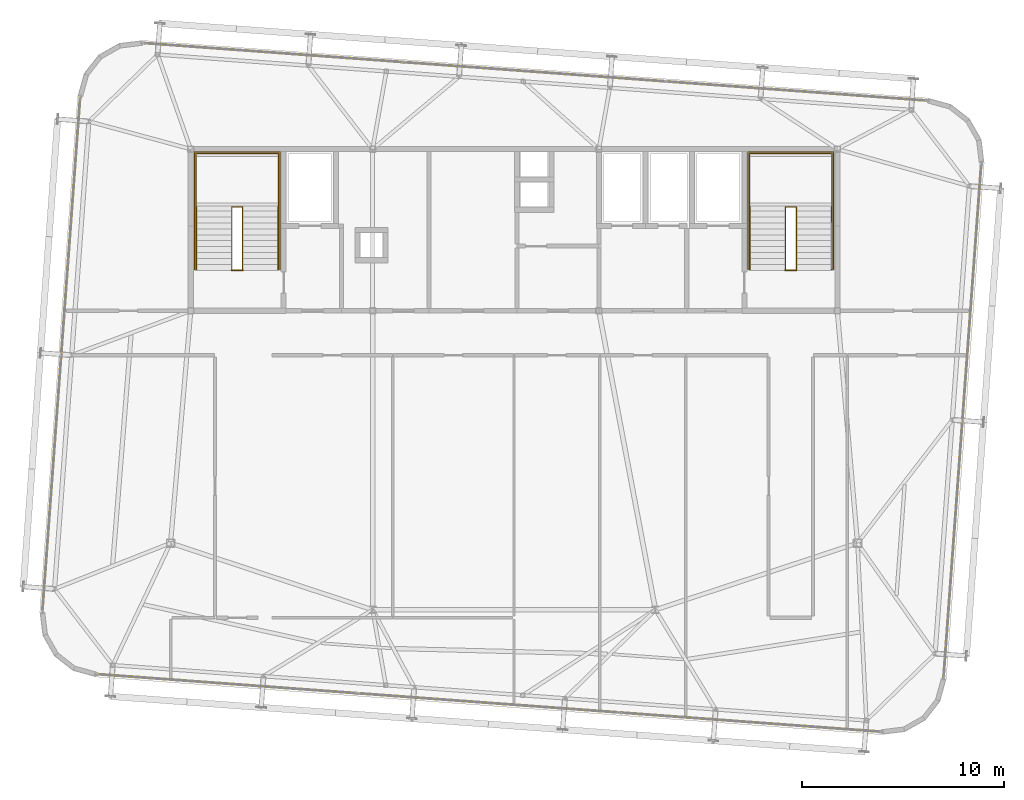
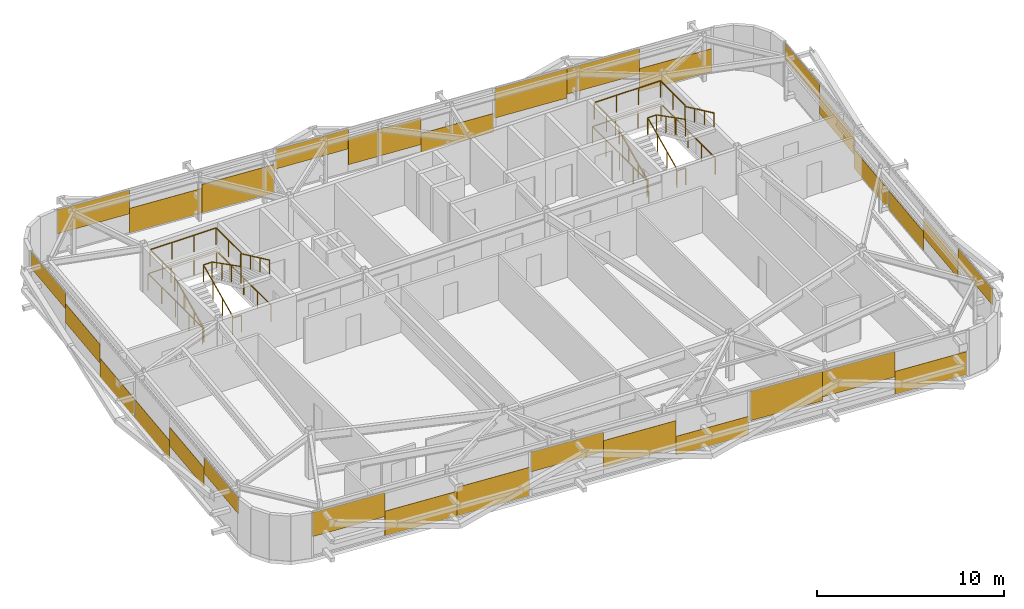
# One storey, part 34 of 34: 30 coverings, 12 railings.
"""IFC4 building model written with IfcOpenShell, lengths in metres."""

from ifc_helpers import new_model, si_unit, direction, frame, origin, origin_2d, place, context, subcontext, project, spatial, rectangle, extrude, source, transform, mapped, material, layer, layer_set, type_object, element, save


model = new_model("IFC4")

# Units and contexts
model_context = context("Model", 3, precision=1e-05, world=origin(), true_north=direction((0.0, 1.0)))
body_context = subcontext(model_context, "Body", "Model", "MODEL_VIEW")
ifc_project = project(units=[si_unit("LENGTHUNIT", "METRE"), si_unit("AREAUNIT", "SQUARE_METRE"), si_unit("VOLUMEUNIT", "CUBIC_METRE"), si_unit("PLANEANGLEUNIT", "RADIAN"), si_unit("MASSUNIT", "GRAM", prefix="KILO")], contexts=[model_context])

# Site, building, storey
site_placement = place(None, origin())
site = spatial("IfcSite", under=ifc_project, at=site_placement, CompositionType="ELEMENT")
building_placement = place(site_placement, origin())
building = spatial("IfcBuilding", under=site, at=building_placement, Name="Taldren Reach Tower", CompositionType="ELEMENT")
storey_placement = place(building_placement, frame((0.0, 0.0, 239.75)))
storey = spatial("IfcBuildingStorey", under=building, at=storey_placement, Name="L73", CompositionType="ELEMENT", Elevation=239.75)

# Railings
ifc_material_1 = material(Name="Steel Gr 350 (C350L0)", Category="steel")
ifc_layer_1 = layer(ifc_material_1, 0.050048828125)
ifc_layer_set_1 = layer_set([ifc_layer_1], Name="Steel Gr 350 (C350L0)")
railing_type_1 = type_object("IfcRailingType", Name="RL-STAIR-GR", PredefinedType="GUARDRAIL", material=ifc_layer_set_1)
railing_1_placement = place(storey_placement, frame((19.260009765625, 29.135009765625, 1.574951171875)))
element("IfcRailing", 1, at=railing_1_placement, inside=storey, type_object=railing_type_1, Name="Stair half-landing perimeter guard ST1-L73", PredefinedType="GUARDRAIL", context=body_context, shape_type="SweptSolid", body=[
    extrude(rectangle(XDim=0.047852, YDim=0.047852, at=origin_2d()), frame((0.0, 0.0, 1.09619140625), z_axis=(0.0, 1.0, 0.0), x_axis=(-1.0, 0.0, 0.0)), (0.0, 0.0, 1.0), 2.64501953125),
    extrude(rectangle(XDim=0.047852, YDim=0.047852, at=origin_2d()), frame((0.0, 2.64501953125, 1.09619140625), z_axis=(1.0, 0.0, 0.0), x_axis=(0.0, 1.0, 0.0)), (0.0, 0.0, 1.0), 4.080078125),
    extrude(rectangle(XDim=0.047852, YDim=0.047852, at=origin_2d()), frame((4.080078125, 2.64501953125, 1.09619140625), z_axis=(0.0, -1.0, 0.0), x_axis=(1.0, 0.0, 0.0)), (0.0, 0.0, 1.0), 2.64501953125),
    extrude(rectangle(XDim=0.041992, YDim=0.041992, at=origin_2d()), origin(), (0.0, 0.0, 1.0), 1.072021484375),
    extrude(rectangle(XDim=0.041992, YDim=0.041992, at=origin_2d()), frame((0.0, 1.322509765625, 0.0)), (0.0, 0.0, 1.0), 1.072021484375),
    extrude(rectangle(XDim=0.041992, YDim=0.041992, at=origin_2d()), frame((0.0, 2.64501953125, 0.0)), (0.0, 0.0, 1.0), 1.072021484375),
    extrude(rectangle(XDim=0.041992, YDim=0.041992, at=origin_2d()), frame((1.360107421875, 2.64501953125, 0.0)), (0.0, 0.0, 1.0), 1.072021484375),
    extrude(rectangle(XDim=0.041992, YDim=0.041992, at=origin_2d()), frame((2.719970703125, 2.64501953125, 0.0)), (0.0, 0.0, 1.0), 1.072021484375),
    extrude(rectangle(XDim=0.041992, YDim=0.041992, at=origin_2d()), frame((4.080078125, 2.64501953125, 0.0)), (0.0, 0.0, 1.0), 1.072021484375),
    extrude(rectangle(XDim=0.041992, YDim=0.041992, at=origin_2d()), frame((4.080078125, 1.322509765625, 0.0)), (0.0, 0.0, 1.0), 1.072021484375),
    extrude(rectangle(XDim=0.041992, YDim=0.041992, at=origin_2d()), frame((4.080078125, 0.0, 0.0)), (0.0, 0.0, 1.0), 1.072021484375),
])
railing_2_placement = place(storey_placement, frame((21.030029296875, 26.050048828125, 0.131103515625)))
element("IfcRailing", 2, at=railing_2_placement, inside=storey, type_object=railing_type_1, Name="Stairwell inner guard ST1-L73", PredefinedType="GUARDRAIL", context=body_context, shape_type="SweptSolid", body=[
    extrude(rectangle(XDim=0.047852, YDim=0.047852, at=origin_2d()), frame((0.0, 0.0, 1.09619140625), z_axis=(0.0, 0.905710134349, 0.423897573167), x_axis=(-1.0, 0.0, 0.0)), (0.0, 0.0, 1.0), 3.406005859375),
    extrude(rectangle(XDim=0.047852, YDim=0.047852, at=origin_2d()), frame((0.0, 3.0849609375, 2.5400390625), z_axis=(1.0, 0.0, 0.0), x_axis=(0.0, 1.0, 0.0)), (0.0, 0.0, 1.0), 0.5400390625),
    extrude(rectangle(XDim=0.047852, YDim=0.047852, at=origin_2d()), frame((0.5400390625, 3.0849609375, 2.5400390625), z_axis=(0.0, -0.890645957773, 0.45469745755), x_axis=(1.0, 0.0, 0.0)), (0.0, 0.0, 1.0), 3.463623046875),
    extrude(rectangle(XDim=0.041992, YDim=0.041992, at=origin_2d()), origin(), (0.0, 0.0, 1.0), 1.072021484375),
    extrude(rectangle(XDim=0.041992, YDim=0.041992, at=origin_2d()), frame((0.0, 1.0283203125, 0.481201171875)), (0.0, 0.0, 1.0), 1.072021484375),
    extrude(rectangle(XDim=0.041992, YDim=0.041992, at=origin_2d()), frame((0.0, 2.056640625, 0.962646484375)), (0.0, 0.0, 1.0), 1.072021484375),
    extrude(rectangle(XDim=0.041992, YDim=0.041992, at=origin_2d()), frame((0.0, 3.0849609375, 1.44384765625)), (0.0, 0.0, 1.0), 1.072021484375),
    extrude(rectangle(XDim=0.041992, YDim=0.041992, at=origin_2d()), frame((0.5400390625, 3.0849609375, 1.44384765625)), (0.0, 0.0, 1.0), 1.072021484375),
    extrude(rectangle(XDim=0.041992, YDim=0.041992, at=origin_2d()), frame((0.5400390625, 2.056640625, 1.96875)), (0.0, 0.0, 1.0), 1.072021484375),
    extrude(rectangle(XDim=0.041992, YDim=0.041992, at=origin_2d()), frame((0.5400390625, 1.0283203125, 2.493896484375)), (0.0, 0.0, 1.0), 1.072021484375),
    extrude(rectangle(XDim=0.041992, YDim=0.041992, at=origin_2d()), frame((0.5400390625, 0.0, 3.018798828125)), (0.0, 0.0, 1.0), 1.072021484375),
])
railing_3_placement = place(storey_placement, frame((21.030029296875, 26.010009765625, 0.0)))
element("IfcRailing", 3, at=railing_3_placement, inside=storey, type_object=railing_type_1, Name="Stairwell landing slot guard ST1-L73", PredefinedType="GUARDRAIL", context=body_context, shape_type="SweptSolid", body=[
    extrude(rectangle(XDim=0.047852, YDim=0.047852, at=origin_2d()), frame((0.0, 0.0, 1.09619140625), z_axis=(1.0, 0.0, 0.0), x_axis=(0.0, 1.0, 0.0)), (0.0, 0.0, 1.0), 0.5400390625),
    extrude(rectangle(XDim=0.041992, YDim=0.041992, at=origin_2d()), origin(), (0.0, 0.0, 1.0), 1.072021484375),
    extrude(rectangle(XDim=0.041992, YDim=0.041992, at=origin_2d()), frame((0.5400390625, 0.0, 0.0)), (0.0, 0.0, 1.0), 1.072021484375),
])
railing_4_placement = place(storey_placement, frame((19.18994140625, 26.050048828125, 0.0)))
element("IfcRailing", 4, at=railing_4_placement, inside=storey, type_object=railing_type_1, Name="Stairwell floor opening guard ST1-L73", PredefinedType="GUARDRAIL", context=body_context, shape_type="SweptSolid", body=[
    extrude(rectangle(XDim=0.047852, YDim=0.047852, at=origin_2d()), frame((0.0, 0.0, 1.09619140625), z_axis=(0.0, 1.0, 0.0), x_axis=(-1.0, 0.0, 0.0)), (0.0, 0.0, 1.0), 5.800048828125),
    extrude(rectangle(XDim=0.047852, YDim=0.047852, at=origin_2d()), frame((0.0, 5.800048828125, 1.09619140625), z_axis=(1.0, 0.0, 0.0), x_axis=(0.0, 1.0, 0.0)), (0.0, 0.0, 1.0), 4.219970703125),
    extrude(rectangle(XDim=0.047852, YDim=0.047852, at=origin_2d()), frame((4.219970703125, 5.800048828125, 1.09619140625), z_axis=(0.0, -1.0, 0.0), x_axis=(1.0, 0.0, 0.0)), (0.0, 0.0, 1.0), 5.800048828125),
    extrude(rectangle(XDim=0.041992, YDim=0.041992, at=origin_2d()), origin(), (0.0, 0.0, 1.0), 1.072021484375),
    extrude(rectangle(XDim=0.041992, YDim=0.041992, at=origin_2d()), frame((0.0, 1.449951171875, 0.0)), (0.0, 0.0, 1.0), 1.072021484375),
    extrude(rectangle(XDim=0.041992, YDim=0.041992, at=origin_2d()), frame((0.0, 2.89990234375, 0.0)), (0.0, 0.0, 1.0), 1.072021484375),
    extrude(rectangle(XDim=0.041992, YDim=0.041992, at=origin_2d()), frame((0.0, 4.35009765625, 0.0)), (0.0, 0.0, 1.0), 1.072021484375),
    extrude(rectangle(XDim=0.041992, YDim=0.041992, at=origin_2d()), frame((0.0, 5.800048828125, 0.0)), (0.0, 0.0, 1.0), 1.072021484375),
    extrude(rectangle(XDim=0.041992, YDim=0.041992, at=origin_2d()), frame((1.40673828125, 5.800048828125, 0.0)), (0.0, 0.0, 1.0), 1.072021484375),
    extrude(rectangle(XDim=0.041992, YDim=0.041992, at=origin_2d()), frame((2.813232421875, 5.800048828125, 0.0)), (0.0, 0.0, 1.0), 1.072021484375),
    extrude(rectangle(XDim=0.041992, YDim=0.041992, at=origin_2d()), frame((4.219970703125, 5.800048828125, 0.0)), (0.0, 0.0, 1.0), 1.072021484375),
    extrude(rectangle(XDim=0.041992, YDim=0.041992, at=origin_2d()), frame((4.219970703125, 4.35009765625, 0.0)), (0.0, 0.0, 1.0), 1.072021484375),
    extrude(rectangle(XDim=0.041992, YDim=0.041992, at=origin_2d()), frame((4.219970703125, 2.89990234375, 0.0)), (0.0, 0.0, 1.0), 1.072021484375),
    extrude(rectangle(XDim=0.041992, YDim=0.041992, at=origin_2d()), frame((4.219970703125, 1.449951171875, 0.0)), (0.0, 0.0, 1.0), 1.072021484375),
    extrude(rectangle(XDim=0.041992, YDim=0.041992, at=origin_2d()), frame((4.219970703125, 0.0, 0.0)), (0.0, 0.0, 1.0), 1.072021484375),
])
railing_5_placement = place(storey_placement, frame((46.659912109375, 29.135009765625, 1.574951171875)))
element("IfcRailing", 5, at=railing_5_placement, inside=storey, type_object=railing_type_1, Name="Stair half-landing perimeter guard ST2-L73", PredefinedType="GUARDRAIL", context=body_context, shape_type="SweptSolid", body=[
    extrude(rectangle(XDim=0.047852, YDim=0.047852, at=origin_2d()), frame((0.0, 0.0, 1.09619140625), z_axis=(0.0, 1.0, 0.0), x_axis=(-1.0, 0.0, 0.0)), (0.0, 0.0, 1.0), 2.64501953125),
    extrude(rectangle(XDim=0.047852, YDim=0.047852, at=origin_2d()), frame((0.0, 2.64501953125, 1.09619140625), z_axis=(1.0, 0.0, 0.0), x_axis=(0.0, 1.0, 0.0)), (0.0, 0.0, 1.0), 4.080078125),
    extrude(rectangle(XDim=0.047852, YDim=0.047852, at=origin_2d()), frame((4.080078125, 2.64501953125, 1.09619140625), z_axis=(0.0, -1.0, 0.0), x_axis=(1.0, 0.0, 0.0)), (0.0, 0.0, 1.0), 2.64501953125),
    extrude(rectangle(XDim=0.041992, YDim=0.041992, at=origin_2d()), origin(), (0.0, 0.0, 1.0), 1.072021484375),
    extrude(rectangle(XDim=0.041992, YDim=0.041992, at=origin_2d()), frame((0.0, 1.322509765625, 0.0)), (0.0, 0.0, 1.0), 1.072021484375),
    extrude(rectangle(XDim=0.041992, YDim=0.041992, at=origin_2d()), frame((0.0, 2.64501953125, 0.0)), (0.0, 0.0, 1.0), 1.072021484375),
    extrude(rectangle(XDim=0.041992, YDim=0.041992, at=origin_2d()), frame((1.360107421875, 2.64501953125, 0.0)), (0.0, 0.0, 1.0), 1.072021484375),
    extrude(rectangle(XDim=0.041992, YDim=0.041992, at=origin_2d()), frame((2.719970703125, 2.64501953125, 0.0)), (0.0, 0.0, 1.0), 1.072021484375),
    extrude(rectangle(XDim=0.041992, YDim=0.041992, at=origin_2d()), frame((4.080078125, 2.64501953125, 0.0)), (0.0, 0.0, 1.0), 1.072021484375),
    extrude(rectangle(XDim=0.041992, YDim=0.041992, at=origin_2d()), frame((4.080078125, 1.322509765625, 0.0)), (0.0, 0.0, 1.0), 1.072021484375),
    extrude(rectangle(XDim=0.041992, YDim=0.041992, at=origin_2d()), frame((4.080078125, 0.0, 0.0)), (0.0, 0.0, 1.0), 1.072021484375),
])
railing_6_placement = place(storey_placement, frame((48.429931640625, 26.050048828125, 0.131103515625)))
element("IfcRailing", 6, at=railing_6_placement, inside=storey, type_object=railing_type_1, Name="Stairwell inner guard ST2-L73", PredefinedType="GUARDRAIL", context=body_context, shape_type="SweptSolid", body=[
    extrude(rectangle(XDim=0.047852, YDim=0.047852, at=origin_2d()), frame((0.0, 0.0, 1.09619140625), z_axis=(0.0, 0.905710134349, 0.423897573167), x_axis=(-1.0, 0.0, 0.0)), (0.0, 0.0, 1.0), 3.406005859375),
    extrude(rectangle(XDim=0.047852, YDim=0.047852, at=origin_2d()), frame((0.0, 3.0849609375, 2.5400390625), z_axis=(1.0, 0.0, 0.0), x_axis=(0.0, 1.0, 0.0)), (0.0, 0.0, 1.0), 0.5400390625),
    extrude(rectangle(XDim=0.047852, YDim=0.047852, at=origin_2d()), frame((0.5400390625, 3.0849609375, 2.5400390625), z_axis=(0.0, -0.890645957773, 0.45469745755), x_axis=(1.0, 0.0, 0.0)), (0.0, 0.0, 1.0), 3.463623046875),
    extrude(rectangle(XDim=0.041992, YDim=0.041992, at=origin_2d()), origin(), (0.0, 0.0, 1.0), 1.072021484375),
    extrude(rectangle(XDim=0.041992, YDim=0.041992, at=origin_2d()), frame((0.0, 1.0283203125, 0.481201171875)), (0.0, 0.0, 1.0), 1.072021484375),
    extrude(rectangle(XDim=0.041992, YDim=0.041992, at=origin_2d()), frame((0.0, 2.056640625, 0.962646484375)), (0.0, 0.0, 1.0), 1.072021484375),
    extrude(rectangle(XDim=0.041992, YDim=0.041992, at=origin_2d()), frame((0.0, 3.0849609375, 1.44384765625)), (0.0, 0.0, 1.0), 1.072021484375),
    extrude(rectangle(XDim=0.041992, YDim=0.041992, at=origin_2d()), frame((0.5400390625, 3.0849609375, 1.44384765625)), (0.0, 0.0, 1.0), 1.072021484375),
    extrude(rectangle(XDim=0.041992, YDim=0.041992, at=origin_2d()), frame((0.5400390625, 2.056640625, 1.96875)), (0.0, 0.0, 1.0), 1.072021484375),
    extrude(rectangle(XDim=0.041992, YDim=0.041992, at=origin_2d()), frame((0.5400390625, 1.0283203125, 2.493896484375)), (0.0, 0.0, 1.0), 1.072021484375),
    extrude(rectangle(XDim=0.041992, YDim=0.041992, at=origin_2d()), frame((0.5400390625, 0.0, 3.018798828125)), (0.0, 0.0, 1.0), 1.072021484375),
])
railing_7_placement = place(storey_placement, frame((48.429931640625, 26.010009765625, 0.0)))
element("IfcRailing", 7, at=railing_7_placement, inside=storey, type_object=railing_type_1, Name="Stairwell landing slot guard ST2-L73", PredefinedType="GUARDRAIL", context=body_context, shape_type="SweptSolid", body=[
    extrude(rectangle(XDim=0.047852, YDim=0.047852, at=origin_2d()), frame((0.0, 0.0, 1.09619140625), z_axis=(1.0, 0.0, 0.0), x_axis=(0.0, 1.0, 0.0)), (0.0, 0.0, 1.0), 0.5400390625),
    extrude(rectangle(XDim=0.041992, YDim=0.041992, at=origin_2d()), origin(), (0.0, 0.0, 1.0), 1.072021484375),
    extrude(rectangle(XDim=0.041992, YDim=0.041992, at=origin_2d()), frame((0.5400390625, 0.0, 0.0)), (0.0, 0.0, 1.0), 1.072021484375),
])
railing_8_placement = place(storey_placement, frame((46.590087890625, 26.050048828125, 0.0)))
element("IfcRailing", 8, at=railing_8_placement, inside=storey, type_object=railing_type_1, Name="Stairwell floor opening guard ST2-L73", PredefinedType="GUARDRAIL", context=body_context, shape_type="SweptSolid", body=[
    extrude(rectangle(XDim=0.047852, YDim=0.047852, at=origin_2d()), frame((0.0, 0.0, 1.09619140625), z_axis=(0.0, 1.0, 0.0), x_axis=(-1.0, 0.0, 0.0)), (0.0, 0.0, 1.0), 5.800048828125),
    extrude(rectangle(XDim=0.047852, YDim=0.047852, at=origin_2d()), frame((0.0, 5.800048828125, 1.09619140625), z_axis=(1.0, 0.0, 0.0), x_axis=(0.0, 1.0, 0.0)), (0.0, 0.0, 1.0), 4.219970703125),
    extrude(rectangle(XDim=0.047852, YDim=0.047852, at=origin_2d()), frame((4.219970703125, 5.800048828125, 1.09619140625), z_axis=(0.0, -1.0, 0.0), x_axis=(1.0, 0.0, 0.0)), (0.0, 0.0, 1.0), 5.800048828125),
    extrude(rectangle(XDim=0.041992, YDim=0.041992, at=origin_2d()), origin(), (0.0, 0.0, 1.0), 1.072021484375),
    extrude(rectangle(XDim=0.041992, YDim=0.041992, at=origin_2d()), frame((0.0, 1.449951171875, 0.0)), (0.0, 0.0, 1.0), 1.072021484375),
    extrude(rectangle(XDim=0.041992, YDim=0.041992, at=origin_2d()), frame((0.0, 2.89990234375, 0.0)), (0.0, 0.0, 1.0), 1.072021484375),
    extrude(rectangle(XDim=0.041992, YDim=0.041992, at=origin_2d()), frame((0.0, 4.35009765625, 0.0)), (0.0, 0.0, 1.0), 1.072021484375),
    extrude(rectangle(XDim=0.041992, YDim=0.041992, at=origin_2d()), frame((0.0, 5.800048828125, 0.0)), (0.0, 0.0, 1.0), 1.072021484375),
    extrude(rectangle(XDim=0.041992, YDim=0.041992, at=origin_2d()), frame((1.40673828125, 5.800048828125, 0.0)), (0.0, 0.0, 1.0), 1.072021484375),
    extrude(rectangle(XDim=0.041992, YDim=0.041992, at=origin_2d()), frame((2.813232421875, 5.800048828125, 0.0)), (0.0, 0.0, 1.0), 1.072021484375),
    extrude(rectangle(XDim=0.041992, YDim=0.041992, at=origin_2d()), frame((4.219970703125, 5.800048828125, 0.0)), (0.0, 0.0, 1.0), 1.072021484375),
    extrude(rectangle(XDim=0.041992, YDim=0.041992, at=origin_2d()), frame((4.219970703125, 4.35009765625, 0.0)), (0.0, 0.0, 1.0), 1.072021484375),
    extrude(rectangle(XDim=0.041992, YDim=0.041992, at=origin_2d()), frame((4.219970703125, 2.89990234375, 0.0)), (0.0, 0.0, 1.0), 1.072021484375),
    extrude(rectangle(XDim=0.041992, YDim=0.041992, at=origin_2d()), frame((4.219970703125, 1.449951171875, 0.0)), (0.0, 0.0, 1.0), 1.072021484375),
    extrude(rectangle(XDim=0.041992, YDim=0.041992, at=origin_2d()), frame((4.219970703125, 0.0, 0.0)), (0.0, 0.0, 1.0), 1.072021484375),
])
ifc_material_2 = material(Name="Stainless Steel Gr 316", Category="steel")
ifc_layer_2 = layer(ifc_material_2, 0.048095703125)
ifc_layer_set_2 = layer_set([ifc_layer_2], Name="Stainless Steel Gr 316")
railing_type_2 = type_object("IfcRailingType", Name="RL-STAIR-HR", PredefinedType="HANDRAIL", material=ifc_layer_set_2)
railing_9_placement = place(storey_placement, frame((19.27001953125, 26.050048828125, 0.131103515625)))
element("IfcRailing", 9, at=railing_9_placement, inside=storey, type_object=railing_type_2, Name="Stair flight handrail ST1-L73-1", PredefinedType="HANDRAIL", context=body_context, shape_type="SweptSolid", body=[
    extrude(rectangle(XDim=0.047852, YDim=0.047852, at=origin_2d()), frame((0.0, 0.0, 0.89599609375), z_axis=(0.0, 0.905710134349, 0.423897573167), x_axis=(-1.0, 0.0, 0.0)), (0.0, 0.0, 1.0), 3.406005859375),
    extrude(rectangle(XDim=0.041992, YDim=0.041992, at=origin_2d()), origin(), (0.0, 0.0, 1.0), 0.871826171875),
    extrude(rectangle(XDim=0.041992, YDim=0.041992, at=origin_2d()), frame((0.0, 1.0283203125, 0.481201171875)), (0.0, 0.0, 1.0), 0.871826171875),
    extrude(rectangle(XDim=0.041992, YDim=0.041992, at=origin_2d()), frame((0.0, 2.056640625, 0.962646484375)), (0.0, 0.0, 1.0), 0.871826171875),
    extrude(rectangle(XDim=0.041992, YDim=0.041992, at=origin_2d()), frame((0.0, 3.0849609375, 1.44384765625)), (0.0, 0.0, 1.0), 0.871826171875),
])
railing_10_placement = place(storey_placement, frame((23.330078125, 29.135009765625, 1.706298828125)))
element("IfcRailing", 10, at=railing_10_placement, inside=storey, type_object=railing_type_2, Name="Stair flight handrail ST1-L73-2", PredefinedType="HANDRAIL", context=body_context, shape_type="SweptSolid", body=[
    extrude(rectangle(XDim=0.047852, YDim=0.047852, at=origin_2d()), frame((0.0, 0.0, 0.89599609375), z_axis=(0.0, -0.905737652094, 0.423838773095), x_axis=(1.0, 0.0, 0.0)), (0.0, 0.0, 1.0), 3.406005859375),
    extrude(rectangle(XDim=0.041992, YDim=0.041992, at=origin_2d()), origin(), (0.0, 0.0, 1.0), 0.871826171875),
    extrude(rectangle(XDim=0.041992, YDim=0.041992, at=origin_2d()), frame((0.0, -1.0283203125, 0.481201171875)), (0.0, 0.0, 1.0), 0.871826171875),
    extrude(rectangle(XDim=0.041992, YDim=0.041992, at=origin_2d()), frame((0.0, -2.056640625, 0.96240234375)), (0.0, 0.0, 1.0), 0.871826171875),
    extrude(rectangle(XDim=0.041992, YDim=0.041992, at=origin_2d()), frame((0.0, -3.0849609375, 1.443603515625)), (0.0, 0.0, 1.0), 0.871826171875),
])
railing_11_placement = place(storey_placement, frame((46.669921875, 26.050048828125, 0.131103515625)))
element("IfcRailing", 11, at=railing_11_placement, inside=storey, type_object=railing_type_2, Name="Stair flight handrail ST2-L73-1", PredefinedType="HANDRAIL", context=body_context, shape_type="SweptSolid", body=[
    extrude(rectangle(XDim=0.047852, YDim=0.047852, at=origin_2d()), frame((0.0, 0.0, 0.89599609375), z_axis=(0.0, 0.905710134349, 0.423897573167), x_axis=(-1.0, 0.0, 0.0)), (0.0, 0.0, 1.0), 3.406005859375),
    extrude(rectangle(XDim=0.041992, YDim=0.041992, at=origin_2d()), origin(), (0.0, 0.0, 1.0), 0.871826171875),
    extrude(rectangle(XDim=0.041992, YDim=0.041992, at=origin_2d()), frame((0.0, 1.0283203125, 0.481201171875)), (0.0, 0.0, 1.0), 0.871826171875),
    extrude(rectangle(XDim=0.041992, YDim=0.041992, at=origin_2d()), frame((0.0, 2.056640625, 0.962646484375)), (0.0, 0.0, 1.0), 0.871826171875),
    extrude(rectangle(XDim=0.041992, YDim=0.041992, at=origin_2d()), frame((0.0, 3.0849609375, 1.44384765625)), (0.0, 0.0, 1.0), 0.871826171875),
])
railing_12_placement = place(storey_placement, frame((50.72998046875, 29.135009765625, 1.706298828125)))
element("IfcRailing", 12, at=railing_12_placement, inside=storey, type_object=railing_type_2, Name="Stair flight handrail ST2-L73-2", PredefinedType="HANDRAIL", context=body_context, shape_type="SweptSolid", body=[
    extrude(rectangle(XDim=0.047852, YDim=0.047852, at=origin_2d()), frame((0.0, 0.0, 0.89599609375), z_axis=(0.0, -0.905737652094, 0.423838773095), x_axis=(1.0, 0.0, 0.0)), (0.0, 0.0, 1.0), 3.406005859375),
    extrude(rectangle(XDim=0.041992, YDim=0.041992, at=origin_2d()), origin(), (0.0, 0.0, 1.0), 0.871826171875),
    extrude(rectangle(XDim=0.041992, YDim=0.041992, at=origin_2d()), frame((0.0, -1.0283203125, 0.481201171875)), (0.0, 0.0, 1.0), 0.871826171875),
    extrude(rectangle(XDim=0.041992, YDim=0.041992, at=origin_2d()), frame((0.0, -2.056640625, 0.96240234375)), (0.0, 0.0, 1.0), 0.871826171875),
    extrude(rectangle(XDim=0.041992, YDim=0.041992, at=origin_2d()), frame((0.0, -3.0849609375, 1.443603515625)), (0.0, 0.0, 1.0), 0.871826171875),
])

# Coverings
ifc_material_3 = material(Name="Pale Champagne Fluoropolymer Aluminium Spandrel Cladding", Category="aluminium")
ifc_layer_3 = layer(ifc_material_3, 0.0439453125)
ifc_layer_set_3 = layer_set([ifc_layer_3], Name="Pale Champagne Fluoropolymer Aluminium Spandrel Cladding")
covering_type = type_object("IfcCoveringType", Name="CV-CLAD-044", PredefinedType="CLADDING", material=ifc_layer_set_3)
shared_shape_1 = source(origin(), body_context, "Body", "SweptSolid", [
    extrude(rectangle(XDim=4.2958984375, YDim=0.0439453125, at=origin_2d()), origin(), (0.0, 0.0, 1.0), 1.495849609375),
])
for number, where, z_axis, x_axis, name in (
    (13, (50.98388671875, 3.316650390625, 0.06005859375), (0.0, 0.0, 1.0), (0.997314476006, -0.073238213716, 0.0), "Diagrid closure cladding strip CW-6 panel 3.1 3"),
    (14, (53.277587890625, 34.552490234375, 0.06005859375), (0.0, 0.0, 1.0), (-0.997314476006, 0.073238213716, 0.0), "Diagrid closure cladding strip CW-6 panel 1.1 1"),
):
    element("IfcCovering", number, at=place(storey_placement, frame(where, z_axis=z_axis, x_axis=x_axis)), inside=storey, type_object=covering_type, Name=name, PredefinedType="CLADDING", context=body_context, shape_type="MappedRepresentation", body=[
        mapped(shared_shape_1, transform((0.0, 0.0, 0.0), scale=1.0)),
    ])
shared_shape_2 = source(origin(), body_context, "Body", "SweptSolid", [
    extrude(rectangle(XDim=4.2958984375, YDim=0.0439453125, at=origin_2d()), origin(), (0.0, 0.0, 1.0), 1.665771484375),
])
for number, where, z_axis, x_axis, name in (
    (15, (46.699462890625, 3.63134765625, 1.2041015625), (0.0, 0.0, 1.0), (0.997314476006, -0.073238213716, 0.0), "Diagrid closure cladding strip CW-6 panel 3.1 2"),
    (16, (48.993408203125, 34.8671875, 1.2041015625), (0.0, 0.0, 1.0), (-0.997314476006, 0.073238213716, 0.0), "Diagrid closure cladding strip CW-6 panel 1.1 2"),
):
    element("IfcCovering", number, at=place(storey_placement, frame(where, z_axis=z_axis, x_axis=x_axis)), inside=storey, type_object=covering_type, Name=name, PredefinedType="CLADDING", context=body_context, shape_type="MappedRepresentation", body=[
        mapped(shared_shape_2, transform((0.0, 0.0, 0.0), scale=1.0)),
    ])
shared_shape_3 = source(origin(), body_context, "Body", "SweptSolid", [
    extrude(rectangle(XDim=4.2958984375, YDim=0.0439453125, at=origin_2d()), origin(), (0.0, 0.0, 1.0), 1.9169921875),
])
for number, where, z_axis, x_axis, name in (
    (17, (42.415283203125, 3.946044921875, 0.952880859375), (0.0, 0.0, 1.0), (0.997314476006, -0.073238213716, 0.0), "Diagrid closure cladding strip CW-6 panel 3.1 1"),
    (18, (44.708984375, 35.181884765625, 0.952880859375), (0.0, 0.0, 1.0), (-0.997314476006, 0.073238213716, 0.0), "Diagrid closure cladding strip CW-6 panel 1.1 3"),
):
    element("IfcCovering", number, at=place(storey_placement, frame(where, z_axis=z_axis, x_axis=x_axis)), inside=storey, type_object=covering_type, Name=name, PredefinedType="CLADDING", context=body_context, shape_type="MappedRepresentation", body=[
        mapped(shared_shape_3, transform((0.0, 0.0, 0.0), scale=1.0)),
    ])
shared_shape_4 = source(origin(), body_context, "Body", "SweptSolid", [
    extrude(rectangle(XDim=4.308349609375, YDim=0.0439453125, at=origin_2d()), origin(), (0.0, 0.0, 1.0), 1.22021484375),
])
for number, where, z_axis, x_axis, name in (
    (19, (38.0498046875, 4.2666015625, 0.06005859375), (0.0, 0.0, 1.0), (0.997314476006, -0.073238213716, 0.0), "Diagrid closure cladding strip CW-6 panel 2.1 3"),
    (20, (40.34375, 35.50244140625, 0.06005859375), (0.0, 0.0, 1.0), (-0.997314476006, 0.073238213716, 0.0), "Diagrid closure cladding strip CW-6 panel 2.1 1"),
):
    element("IfcCovering", number, at=place(storey_placement, frame(where, z_axis=z_axis, x_axis=x_axis)), inside=storey, type_object=covering_type, Name=name, PredefinedType="CLADDING", context=body_context, shape_type="MappedRepresentation", body=[
        mapped(shared_shape_4, transform((0.0, 0.0, 0.0), scale=1.0)),
    ])
shared_shape_5 = source(origin(), body_context, "Body", "SweptSolid", [
    extrude(rectangle(XDim=4.308349609375, YDim=0.0439453125, at=origin_2d()), origin(), (0.0, 0.0, 1.0), 1.75146484375),
])
for number, where, z_axis, x_axis, name in (
    (21, (33.753173828125, 4.58203125, 0.559326171875), (0.0, 0.0, 1.0), (0.997314476006, -0.073238213716, 0.0), "Diagrid closure cladding strip CW-6 panel 2.1 2"),
    (22, (36.046875, 35.81787109375, 0.559326171875), (0.0, 0.0, 1.0), (-0.997314476006, 0.073238213716, 0.0), "Diagrid closure cladding strip CW-6 panel 2.1 2"),
):
    element("IfcCovering", number, at=place(storey_placement, frame(where, z_axis=z_axis, x_axis=x_axis)), inside=storey, type_object=covering_type, Name=name, PredefinedType="CLADDING", context=body_context, shape_type="MappedRepresentation", body=[
        mapped(shared_shape_5, transform((0.0, 0.0, 0.0), scale=1.0)),
    ])
shared_shape_6 = source(origin(), body_context, "Body", "SweptSolid", [
    extrude(rectangle(XDim=4.308349609375, YDim=0.0439453125, at=origin_2d()), origin(), (0.0, 0.0, 1.0), 1.2802734375),
])
for number, where, z_axis, x_axis, name in (
    (23, (29.456298828125, 4.897705078125, 1.589599609375), (0.0, 0.0, 1.0), (0.997314476006, -0.073238213716, 0.0), "Diagrid closure cladding strip CW-6 panel 2.1 1"),
    (24, (31.750244140625, 36.133544921875, 1.589599609375), (0.0, 0.0, 1.0), (-0.997314476006, 0.073238213716, 0.0), "Diagrid closure cladding strip CW-6 panel 2.1 3"),
):
    element("IfcCovering", number, at=place(storey_placement, frame(where, z_axis=z_axis, x_axis=x_axis)), inside=storey, type_object=covering_type, Name=name, PredefinedType="CLADDING", context=body_context, shape_type="MappedRepresentation", body=[
        mapped(shared_shape_6, transform((0.0, 0.0, 0.0), scale=1.0)),
    ])
shared_shape_7 = source(origin(), body_context, "Body", "SweptSolid", [
    extrude(rectangle(XDim=4.2958984375, YDim=0.0439453125, at=origin_2d()), origin(), (0.0, 0.0, 1.0), 1.85693359375),
])
for number, where, z_axis, x_axis, name in (
    (25, (25.091064453125, 5.21826171875, 0.06005859375), (0.0, 0.0, 1.0), (0.997314476006, -0.073238213716, 0.0), "Diagrid closure cladding strip CW-6 panel 1.1 3"),
    (26, (27.384765625, 36.4541015625, 0.06005859375), (0.0, 0.0, 1.0), (-0.997314476006, 0.073238213716, 0.0), "Diagrid closure cladding strip CW-6 panel 3.1 1"),
):
    element("IfcCovering", number, at=place(storey_placement, frame(where, z_axis=z_axis, x_axis=x_axis)), inside=storey, type_object=covering_type, Name=name, PredefinedType="CLADDING", context=body_context, shape_type="MappedRepresentation", body=[
        mapped(shared_shape_7, transform((0.0, 0.0, 0.0), scale=1.0)),
    ])
shared_shape_8 = source(origin(), body_context, "Body", "SweptSolid", [
    extrude(rectangle(XDim=4.2958984375, YDim=0.0439453125, at=origin_2d()), origin(), (0.0, 0.0, 1.0), 1.605712890625),
])
for number, where, z_axis, x_axis, name in (
    (27, (20.806640625, 5.53271484375, 0.06005859375), (0.0, 0.0, 1.0), (0.997314476006, -0.073238213716, 0.0), "Diagrid closure cladding strip CW-6 panel 1.1 2"),
    (28, (23.1005859375, 36.7685546875, 0.06005859375), (0.0, 0.0, 1.0), (-0.997314476006, 0.073238213716, 0.0), "Diagrid closure cladding strip CW-6 panel 3.1 2"),
):
    element("IfcCovering", number, at=place(storey_placement, frame(where, z_axis=z_axis, x_axis=x_axis)), inside=storey, type_object=covering_type, Name=name, PredefinedType="CLADDING", context=body_context, shape_type="MappedRepresentation", body=[
        mapped(shared_shape_8, transform((0.0, 0.0, 0.0), scale=1.0)),
    ])
shared_shape_9 = source(origin(), body_context, "Body", "SweptSolid", [
    extrude(rectangle(XDim=4.2958984375, YDim=0.0439453125, at=origin_2d()), origin(), (0.0, 0.0, 1.0), 1.555908203125),
])
for number, where, z_axis, x_axis, name in (
    (29, (16.5224609375, 5.847412109375, 1.31396484375), (0.0, 0.0, 1.0), (0.997314476006, -0.073238213716, 0.0), "Diagrid closure cladding strip CW-6 panel 1.1 1"),
    (30, (18.816162109375, 37.083251953125, 1.31396484375), (0.0, 0.0, 1.0), (-0.997314476006, 0.073238213716, 0.0), "Diagrid closure cladding strip CW-6 panel 3.1 3"),
):
    element("IfcCovering", number, at=place(storey_placement, frame(where, z_axis=z_axis, x_axis=x_axis)), inside=storey, type_object=covering_type, Name=name, PredefinedType="CLADDING", context=body_context, shape_type="MappedRepresentation", body=[
        mapped(shared_shape_9, transform((0.0, 0.0, 0.0), scale=1.0)),
    ])
shared_shape_10 = source(origin(), body_context, "Body", "SweptSolid", [
    extrude(rectangle(XDim=4.229248046875, YDim=0.0439453125, at=origin_2d()), origin(), (0.0, 0.0, 1.0), 1.22802734375),
])
for number, where, z_axis, x_axis, name in (
    (31, (13.0673828125, 28.20166015625, 0.942626953125), (0.0, 0.0, 1.0), (-0.073238282558, -0.997314470951, 0.0), "Diagrid closure cladding strip CW-6 panel 1.1 2"),
    (32, (12.1328125, 15.473388671875, 0.942626953125), (0.0, 0.0, 1.0), (-0.073238282558, -0.997314470951, 0.0), "Diagrid closure cladding strip CW-6 panel 2.1 2"),
    (33, (56.732666015625, 12.1982421875, 0.942626953125), (0.0, 0.0, 1.0), (0.073238282558, 0.997314470951, 0.0), "Diagrid closure cladding strip CW-6 panel 1.1 2"),
    (34, (57.667236328125, 24.926513671875, 0.942626953125), (0.0, 0.0, 1.0), (0.073238282558, 0.997314470951, 0.0), "Diagrid closure cladding strip CW-6 panel 2.1 2"),
):
    element("IfcCovering", number, at=place(storey_placement, frame(where, z_axis=z_axis, x_axis=x_axis)), inside=storey, type_object=covering_type, Name=name, PredefinedType="CLADDING", context=body_context, shape_type="MappedRepresentation", body=[
        mapped(shared_shape_10, transform((0.0, 0.0, 0.0), scale=1.0)),
    ])
shared_shape_11 = source(origin(), body_context, "Body", "SweptSolid", [
    extrude(rectangle(XDim=4.229248046875, YDim=0.0439453125, at=origin_2d()), origin(), (0.0, 0.0, 1.0), 1.041259765625),
])
for number, where, z_axis, x_axis, name in (
    (35, (13.377197265625, 32.41943359375, 1.82861328125), (0.0, 0.0, 1.0), (-0.073238282558, -0.997314470951, 0.0), "Diagrid closure cladding strip CW-6 panel 1.1 1"),
    (36, (11.822998046875, 11.255615234375, 1.82861328125), (0.0, 0.0, 1.0), (-0.073238282558, -0.997314470951, 0.0), "Diagrid closure cladding strip CW-6 panel 2.1 3"),
    (37, (56.4228515625, 7.98046875, 1.82861328125), (0.0, 0.0, 1.0), (0.073238282558, 0.997314470951, 0.0), "Diagrid closure cladding strip CW-6 panel 1.1 1"),
    (38, (57.97705078125, 29.144287109375, 1.82861328125), (0.0, 0.0, 1.0), (0.073238282558, 0.997314470951, 0.0), "Diagrid closure cladding strip CW-6 panel 2.1 3"),
):
    element("IfcCovering", number, at=place(storey_placement, frame(where, z_axis=z_axis, x_axis=x_axis)), inside=storey, type_object=covering_type, Name=name, PredefinedType="CLADDING", context=body_context, shape_type="MappedRepresentation", body=[
        mapped(shared_shape_11, transform((0.0, 0.0, 0.0), scale=1.0)),
    ])
shared_shape_12 = source(origin(), body_context, "Body", "SweptSolid", [
    extrude(rectangle(XDim=4.229248046875, YDim=0.0439453125, at=origin_2d()), origin(), (0.0, 0.0, 1.0), 1.224853515625),
])
for number, where, z_axis, x_axis, name in (
    (39, (12.757568359375, 23.98388671875, 0.06005859375), (0.0, 0.0, 1.0), (-0.073238282558, -0.997314470951, 0.0), "Diagrid closure cladding strip CW-6 panel 1.1 3"),
    (40, (12.4423828125, 19.69140625, 0.06005859375), (0.0, 0.0, 1.0), (-0.073238282558, -0.997314470951, 0.0), "Diagrid closure cladding strip CW-6 panel 2.1 1"),
    (41, (57.042236328125, 16.416015625, 0.06005859375), (0.0, 0.0, 1.0), (0.073238282558, 0.997314470951, 0.0), "Diagrid closure cladding strip CW-6 panel 1.1 3"),
    (42, (57.357666015625, 20.708740234375, 0.06005859375), (0.0, 0.0, 1.0), (0.073238282558, 0.997314470951, 0.0), "Diagrid closure cladding strip CW-6 panel 2.1 1"),
):
    element("IfcCovering", number, at=place(storey_placement, frame(where, z_axis=z_axis, x_axis=x_axis)), inside=storey, type_object=covering_type, Name=name, PredefinedType="CLADDING", context=body_context, shape_type="MappedRepresentation", body=[
        mapped(shared_shape_12, transform((0.0, 0.0, 0.0), scale=1.0)),
    ])

save(model, "model.ifc")
